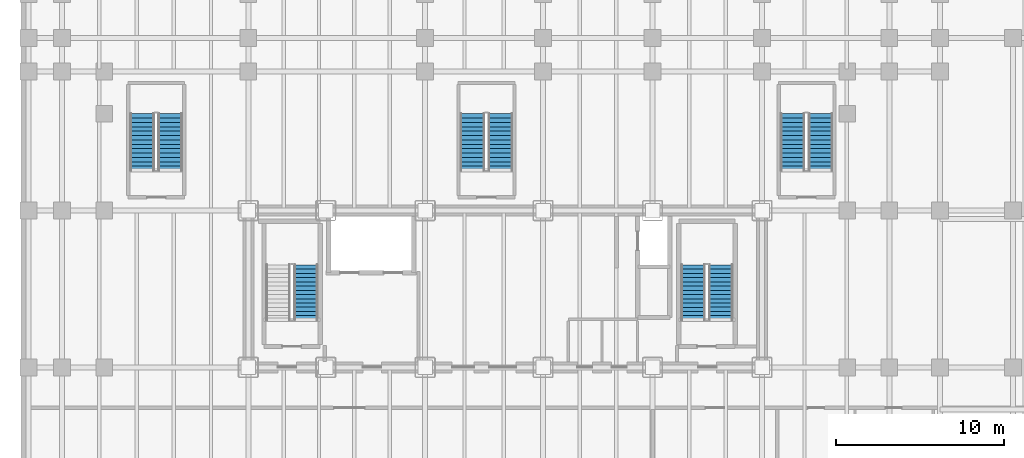
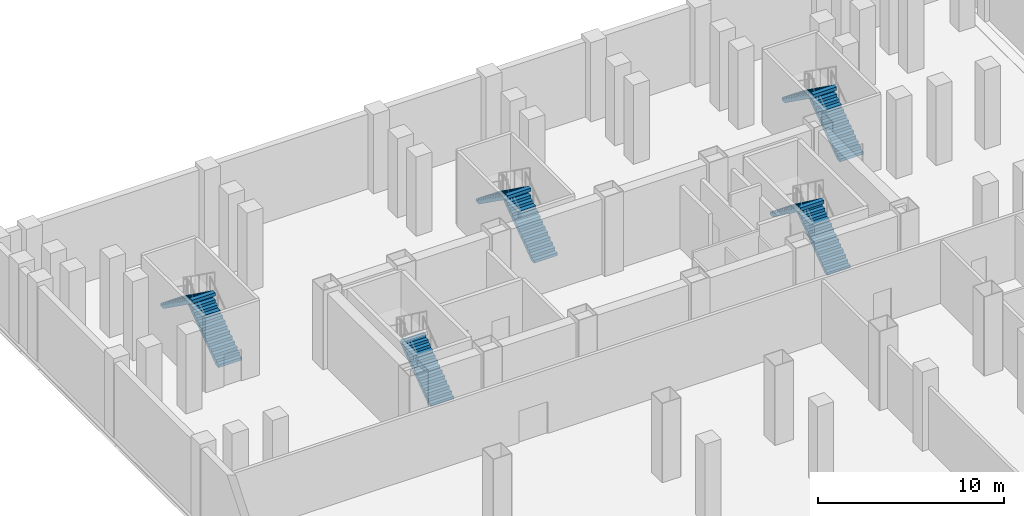
# One storey, part 10 of 15: 9 stair flights, 5 elements without a shape of their own.
"""IFC4 building model written with IfcOpenShell, lengths in metres."""

import ifcopenshell
import ifcopenshell.guid

model = None  # the IFC model being written
_history = None  # IfcOwnerHistory: only IFC2X3 demands one
_inside = {}  # id of a spatial element -> (the spatial element, [elements in it])
_under = {}  # id of a project, library or spatial element -> (it, [spatial elements below it])
_declared = {}  # id of a project -> (the project, [libraries it declares])
_typed = {}  # id of a type object -> (the type object, [elements of that type])
_made_of = {}  # id of a material, layer set ... -> (it, [elements and type objects made of it])


def new_model(schema):
    """Start an empty IFC model of exactly this schema.

    Asked for "IFC4X3", IfcOpenShell would pick the latest addendum, in which some entities
    have other attributes; the version numbers below select the first issue.
    IFC2X3 requires an IfcOwnerHistory on every rooted entity: one is made here for all.
    """
    global model, _history
    if schema == "IFC4X3":
        model = ifcopenshell.file(schema_version=(4, 3, 0, 0))
    else:
        model = ifcopenshell.file(schema=schema)
    _inside.clear()
    _under.clear()
    _declared.clear()
    _typed.clear()
    _made_of.clear()
    _history = None
    if model.schema == "IFC2X3":
        org = make("IfcOrganization", Name="unknown")
        user = make(
            "IfcPersonAndOrganization",
            ThePerson=make("IfcPerson", FamilyName="unknown"),
            TheOrganization=org,
        )
        app = make(
            "IfcApplication",
            ApplicationDeveloper=org,
            Version="unknown",
            ApplicationFullName="unknown",
            ApplicationIdentifier="unknown",
        )
        _history = make(
            "IfcOwnerHistory",
            OwningUser=user,
            OwningApplication=app,
            ChangeAction="ADDED",
            CreationDate=0,
        )
    return model


def make(cls, **values):
    """One entity of the class cls with the attributes given. An attribute that is None is left unset."""
    return model.create_entity(
        cls, **{name: value for name, value in values.items() if value is not None}
    )


def rooted(cls, **values):
    """An entity with a GlobalId (a new one), such as an element, a storey or a relation."""
    return make(cls, GlobalId=ifcopenshell.guid.new(), OwnerHistory=_history, **values)


def si_unit(unit_type, name, prefix=None):
    """IfcSIUnit, for example si_unit("LENGTHUNIT", "METRE", prefix="MILLI")."""
    return make("IfcSIUnit", UnitType=unit_type, Prefix=prefix, Name=name)


def assignment(units):
    """IfcUnitAssignment: the units of a project."""
    return None if units is None else make("IfcUnitAssignment", Units=units)


def point(xyz):
    """IfcCartesianPoint."""
    return None if xyz is None else make("IfcCartesianPoint", Coordinates=xyz)


def direction(xyz):
    """IfcDirection."""
    return None if xyz is None else make("IfcDirection", DirectionRatios=xyz)


def frame(location, z_axis=None, x_axis=None):
    """IfcAxis2Placement3D, a coordinate frame: its origin and axes. An axis left out is left unset."""
    return make(
        "IfcAxis2Placement3D",
        Location=point(location),
        Axis=direction(z_axis),
        RefDirection=direction(x_axis),
    )


def origin():
    """The frame at (0, 0, 0) with its axes left unset."""
    return frame((0.0, 0.0, 0.0))


def place(relative_to, where):
    """IfcLocalPlacement: puts the frame where relative to a parent placement (None: the world)."""
    return make(
        "IfcLocalPlacement", PlacementRelTo=relative_to, RelativePlacement=where
    )


def context(
    kind, dimensions, precision=None, world=None, true_north=None, identifier=None
):
    """IfcGeometricRepresentationContext, for example the 3D "Model" context."""
    return make(
        "IfcGeometricRepresentationContext",
        ContextIdentifier=identifier,
        ContextType=kind,
        CoordinateSpaceDimension=dimensions,
        Precision=precision,
        WorldCoordinateSystem=world,
        TrueNorth=true_north,
    )


def subcontext(parent, identifier, kind, view, scale=None):
    """IfcGeometricRepresentationSubContext, for example "Body" below "Model"."""
    return make(
        "IfcGeometricRepresentationSubContext",
        ContextIdentifier=identifier,
        ContextType=kind,
        ParentContext=parent,
        TargetScale=scale,
        TargetView=view,
    )


def project(units=None, contexts=None):
    """IfcProject with its units and contexts."""
    return rooted(
        "IfcProject",
        Name="project",
        RepresentationContexts=contexts,
        UnitsInContext=assignment(units),
    )


def spatial(cls, under=None, at=None, **own):
    """A site, building, storey or space (cls), placed at a placement, below another one or the project."""
    s = rooted(cls, ObjectPlacement=at, **own)
    if under is not None:
        _under.setdefault(under.id(), (under, []))[1].append(s)
    return s


def polyline(points):
    """IfcPolyline through the points."""
    return make("IfcPolyline", Points=[point(p) for p in points])


def outline(outer, holes=None, kind="AREA"):
    """IfcArbitraryClosedProfileDef: a profile drawn as a closed curve; with holes, ...WithVoids."""
    if holes is None:
        return make("IfcArbitraryClosedProfileDef", ProfileType=kind, OuterCurve=outer)
    return make(
        "IfcArbitraryProfileDefWithVoids",
        ProfileType=kind,
        OuterCurve=outer,
        InnerCurves=holes,
    )


def extrude(swept, where, along, depth):
    """IfcExtrudedAreaSolid: the profile swept, set in the frame where, extruded along a direction by depth."""
    return make(
        "IfcExtrudedAreaSolid",
        SweptArea=swept,
        Position=where,
        ExtrudedDirection=direction(along),
        Depth=depth,
    )


def shape(context_of_items, identifier, shape_type, items):
    """IfcShapeRepresentation: the items that make up one representation, for example the "Body"."""
    return make(
        "IfcShapeRepresentation",
        ContextOfItems=context_of_items,
        RepresentationIdentifier=identifier,
        RepresentationType=shape_type,
        Items=items,
    )


def material(Name=None, Category=None):
    """IfcMaterial."""
    return make("IfcMaterial", Name=Name, Category=Category)


def made_of(thing, what):
    """Note that an element or type object is made of a material, layer set ...; save() writes the relation."""
    if what is not None:
        _made_of.setdefault(what.id(), (what, []))[1].append(thing)
    return thing


def type_object(cls, material=None, **own):
    """A type object (cls), such as IfcWallType, which elements share."""
    return made_of(rooted(cls, **own), material)


def element(
    cls,
    number,
    at=None,
    inside=None,
    cuts=None,
    type_object=None,
    material=None,
    context=None,
    identifier="Body",
    shape_type=None,
    held_by="IfcProductDefinitionShape",
    body=None,
    shapes=None,
    **own,
):
    """One element of the class cls, such as IfcWall. Its Tag is "e" and its number.

    at: its placement. inside: the storey or other place that contains it. cuts: it is an
    opening in that element (IfcRelVoidsElement). A single representation is given by context,
    identifier, shape_type and body (its items); several are given by shapes. held_by: the class
    of the entity that holds the representations. save() writes the other relations.
    """
    e = rooted(cls, Tag="e%d" % number, ObjectPlacement=at, **own)
    if body is not None:
        shapes = [shape(context, identifier, shape_type, body)]
    if shapes is not None:
        e.Representation = make(held_by, Representations=shapes)
    if inside is not None:
        _inside.setdefault(inside.id(), (inside, []))[1].append(e)
    if cuts is not None:
        rooted(
            "IfcRelVoidsElement", RelatingBuildingElement=cuts, RelatedOpeningElement=e
        )
    if type_object is not None:
        _typed.setdefault(type_object.id(), (type_object, []))[1].append(e)
    return made_of(e, material)


def aggregate(whole, parts):
    """IfcRelAggregates: a whole, such as a stair, and the parts it consists of."""
    return rooted("IfcRelAggregates", RelatingObject=whole, RelatedObjects=parts)


def save(model, path):
    """Write the relations noted so far, then the file.

    IfcRelAggregates (storeys below a building ...), IfcRelContainedInSpatialStructure (elements
    in a storey), IfcRelDefinesByType, IfcRelAssociatesMaterial and IfcRelDeclares: one each for
    every whole, place, type object, material and project.
    """
    for whole, parts in _under.values():
        aggregate(whole, parts)
    for where, things in _inside.values():
        rooted(
            "IfcRelContainedInSpatialStructure",
            RelatedElements=things,
            RelatingStructure=where,
        )
    for kind, things in _typed.values():
        rooted("IfcRelDefinesByType", RelatedObjects=things, RelatingType=kind)
    for what, things in _made_of.values():
        rooted("IfcRelAssociatesMaterial", RelatedObjects=things, RelatingMaterial=what)
    for by, libraries in _declared.values():
        rooted("IfcRelDeclares", RelatingContext=by, RelatedDefinitions=libraries)
    model.write(path)


model = new_model("IFC4")

# Units and contexts
model_context = context("Model", 3, precision=1e-05, world=origin(), true_north=direction((0.0, 1.0)))
body_context = subcontext(model_context, "Body", "Model", "MODEL_VIEW")
ifc_project = project(units=[si_unit("LENGTHUNIT", "METRE"), si_unit("AREAUNIT", "SQUARE_METRE"), si_unit("VOLUMEUNIT", "CUBIC_METRE"), si_unit("PLANEANGLEUNIT", "RADIAN"), si_unit("MASSUNIT", "GRAM", prefix="KILO")], contexts=[model_context])

# Site, building, storey
site_placement = place(None, origin())
site = spatial("IfcSite", under=ifc_project, at=site_placement, CompositionType="ELEMENT")
building_placement = place(site_placement, origin())
building = spatial("IfcBuilding", under=site, at=building_placement, Name="Noeulbin Bourse Tower", CompositionType="ELEMENT")
storey_placement = place(building_placement, frame((0.0, 0.0, -10.199951171875)))
storey = spatial("IfcBuildingStorey", under=building, at=storey_placement, Name="B02", CompositionType="ELEMENT", Elevation=-10.199951171875)

# Stair, stair flights
ifc_material = material(Name="Concrete C40/50", Category="concrete")
stair_type_1 = type_object("IfcStairType", Name="STR-AUX-1620", PredefinedType="HALF_TURN_STAIR", material=ifc_material)
stair_1_placement = place(storey_placement, origin())
stair_1 = element("IfcStair", 1, at=stair_1_placement, inside=storey, type_object=stair_type_1, Name="B02 ST-S1", PredefinedType="HALF_TURN_STAIR")
stair_flight_type_1 = type_object("IfcStairFlightType", Name="SFL-AUX-1620", PredefinedType="STRAIGHT", material=ifc_material)
stair_flight_1_placement = place(storey_placement, frame((8.8701171875, 40.679931640625, 0.0), z_axis=(0.0, 0.0, 1.0), x_axis=(0.0, 1.0, 0.0)))
stair_flight_1 = element("IfcStairFlight", 2, at=stair_flight_1_placement, type_object=stair_flight_type_1, Name="ST-S1 flight 1", NumberOfRisers=14, NumberOfTreads=13, PredefinedType="STRAIGHT", RiserHeight=0.185714286, TreadLength=0.26, context=body_context, shape_type="SweptSolid", body=[
    extrude(outline(polyline([(0.0, 0.0), (0.0, 0.185791015625), (0.260009765625, 0.185791015625), (0.260009765625, 0.371337890625), (0.52001953125, 0.371337890625), (0.52001953125, 0.55712890625), (0.780029296875, 0.55712890625), (0.780029296875, 0.742919921875), (1.0400390625, 0.742919921875), (1.0400390625, 0.928466796875), (1.300048828125, 0.928466796875), (1.300048828125, 1.1142578125), (1.56005859375, 1.1142578125), (1.56005859375, 1.300048828125), (1.820068359375, 1.300048828125), (1.820068359375, 1.485595703125), (2.080078125, 1.485595703125), (2.080078125, 1.67138671875), (2.340087890625, 1.67138671875), (2.340087890625, 1.857177734375), (2.60009765625, 1.857177734375), (2.60009765625, 2.04296875), (2.860107421875, 2.04296875), (2.860107421875, 2.228515625), (3.1201171875, 2.228515625), (3.1201171875, 2.414306640625), (3.3798828125, 2.414306640625), (3.3798828125, 2.60009765625), (3.3798828125, 2.193115234375), (0.3095703125, 0.0), (0.0, 0.0)])), frame((0.0, 0.72998046875, 0.0), z_axis=(0.0, -1.0, 0.0), x_axis=(1.0, 0.0, 0.0)), (0.0, 0.0, 1.0), 1.4599609375),
])
stair_flight_2_placement = place(storey_placement, frame((7.2099609375, 44.06005859375, 2.599853515625), z_axis=(0.0, 0.0, 1.0), x_axis=(0.0, -1.0, 0.0)))
stair_flight_2 = element("IfcStairFlight", 3, at=stair_flight_2_placement, type_object=stair_flight_type_1, Name="ST-S1 flight 2", NumberOfRisers=14, NumberOfTreads=13, PredefinedType="STRAIGHT", RiserHeight=0.185714286, TreadLength=0.26, context=body_context, shape_type="SweptSolid", body=[
    extrude(outline(polyline([(0.0, 0.0), (0.0, 0.185791015625), (0.260009765625, 0.185791015625), (0.260009765625, 0.371337890625), (0.52001953125, 0.371337890625), (0.52001953125, 0.55712890625), (0.780029296875, 0.55712890625), (0.780029296875, 0.742919921875), (1.0400390625, 0.742919921875), (1.0400390625, 0.928466796875), (1.300048828125, 0.928466796875), (1.300048828125, 1.1142578125), (1.56005859375, 1.1142578125), (1.56005859375, 1.300048828125), (1.820068359375, 1.300048828125), (1.820068359375, 1.485595703125), (2.080078125, 1.485595703125), (2.080078125, 1.67138671875), (2.340087890625, 1.67138671875), (2.340087890625, 1.857177734375), (2.60009765625, 1.857177734375), (2.60009765625, 2.04296875), (2.860107421875, 2.04296875), (2.860107421875, 2.228515625), (3.1201171875, 2.228515625), (3.1201171875, 2.414306640625), (3.3798828125, 2.414306640625), (3.3798828125, 2.60009765625), (3.3798828125, 2.193115234375), (0.3095703125, 0.0), (0.0, 0.0)])), frame((0.0, 0.72998046875, 0.0), z_axis=(0.0, -1.0, 0.0), x_axis=(1.0, 0.0, 0.0)), (0.0, 0.0, 1.0), 1.4599609375),
])
aggregate(stair_1, [stair_flight_1, stair_flight_2])

stair_2_placement = place(storey_placement, origin())
stair_2 = element("IfcStair", 4, at=stair_2_placement, inside=storey, type_object=stair_type_1, Name="B02 ST-S2", PredefinedType="HALF_TURN_STAIR")
stair_flight_3_placement = place(storey_placement, frame((28.469970703125, 40.679931640625, 0.0), z_axis=(0.0, 0.0, 1.0), x_axis=(0.0, 1.0, 0.0)))
stair_flight_3 = element("IfcStairFlight", 5, at=stair_flight_3_placement, type_object=stair_flight_type_1, Name="ST-S2 flight 1", NumberOfRisers=14, NumberOfTreads=13, PredefinedType="STRAIGHT", RiserHeight=0.185714286, TreadLength=0.26, context=body_context, shape_type="SweptSolid", body=[
    extrude(outline(polyline([(0.0, 0.0), (0.0, 0.185791015625), (0.260009765625, 0.185791015625), (0.260009765625, 0.371337890625), (0.52001953125, 0.371337890625), (0.52001953125, 0.55712890625), (0.780029296875, 0.55712890625), (0.780029296875, 0.742919921875), (1.0400390625, 0.742919921875), (1.0400390625, 0.928466796875), (1.300048828125, 0.928466796875), (1.300048828125, 1.1142578125), (1.56005859375, 1.1142578125), (1.56005859375, 1.300048828125), (1.820068359375, 1.300048828125), (1.820068359375, 1.485595703125), (2.080078125, 1.485595703125), (2.080078125, 1.67138671875), (2.340087890625, 1.67138671875), (2.340087890625, 1.857177734375), (2.60009765625, 1.857177734375), (2.60009765625, 2.04296875), (2.860107421875, 2.04296875), (2.860107421875, 2.228515625), (3.1201171875, 2.228515625), (3.1201171875, 2.414306640625), (3.3798828125, 2.414306640625), (3.3798828125, 2.60009765625), (3.3798828125, 2.193115234375), (0.3095703125, 0.0), (0.0, 0.0)])), frame((0.0, 0.72998046875, 0.0), z_axis=(0.0, -1.0, 0.0), x_axis=(1.0, 0.0, 0.0)), (0.0, 0.0, 1.0), 1.4599609375),
])
stair_flight_4_placement = place(storey_placement, frame((26.81005859375, 44.06005859375, 2.599853515625), z_axis=(0.0, 0.0, 1.0), x_axis=(0.0, -1.0, 0.0)))
stair_flight_4 = element("IfcStairFlight", 6, at=stair_flight_4_placement, type_object=stair_flight_type_1, Name="ST-S2 flight 2", NumberOfRisers=14, NumberOfTreads=13, PredefinedType="STRAIGHT", RiserHeight=0.185714286, TreadLength=0.26, context=body_context, shape_type="SweptSolid", body=[
    extrude(outline(polyline([(0.0, 0.0), (0.0, 0.185791015625), (0.260009765625, 0.185791015625), (0.260009765625, 0.371337890625), (0.52001953125, 0.371337890625), (0.52001953125, 0.55712890625), (0.780029296875, 0.55712890625), (0.780029296875, 0.742919921875), (1.0400390625, 0.742919921875), (1.0400390625, 0.928466796875), (1.300048828125, 0.928466796875), (1.300048828125, 1.1142578125), (1.56005859375, 1.1142578125), (1.56005859375, 1.300048828125), (1.820068359375, 1.300048828125), (1.820068359375, 1.485595703125), (2.080078125, 1.485595703125), (2.080078125, 1.67138671875), (2.340087890625, 1.67138671875), (2.340087890625, 1.857177734375), (2.60009765625, 1.857177734375), (2.60009765625, 2.04296875), (2.860107421875, 2.04296875), (2.860107421875, 2.228515625), (3.1201171875, 2.228515625), (3.1201171875, 2.414306640625), (3.3798828125, 2.414306640625), (3.3798828125, 2.60009765625), (3.3798828125, 2.193115234375), (0.3095703125, 0.0), (0.0, 0.0)])), frame((0.0, 0.72998046875, 0.0), z_axis=(0.0, -1.0, 0.0), x_axis=(1.0, 0.0, 0.0)), (0.0, 0.0, 1.0), 1.4599609375),
])
aggregate(stair_2, [stair_flight_3, stair_flight_4])

stair_3_placement = place(storey_placement, origin())
stair_3 = element("IfcStair", 7, at=stair_3_placement, inside=storey, type_object=stair_type_1, Name="B02 ST-S3", PredefinedType="HALF_TURN_STAIR")
stair_flight_5_placement = place(storey_placement, frame((47.469970703125, 40.679931640625, 0.0), z_axis=(0.0, 0.0, 1.0), x_axis=(0.0, 1.0, 0.0)))
stair_flight_5 = element("IfcStairFlight", 8, at=stair_flight_5_placement, type_object=stair_flight_type_1, Name="ST-S3 flight 1", NumberOfRisers=14, NumberOfTreads=13, PredefinedType="STRAIGHT", RiserHeight=0.185714286, TreadLength=0.26, context=body_context, shape_type="SweptSolid", body=[
    extrude(outline(polyline([(0.0, 0.0), (0.0, 0.185791015625), (0.260009765625, 0.185791015625), (0.260009765625, 0.371337890625), (0.52001953125, 0.371337890625), (0.52001953125, 0.55712890625), (0.780029296875, 0.55712890625), (0.780029296875, 0.742919921875), (1.0400390625, 0.742919921875), (1.0400390625, 0.928466796875), (1.300048828125, 0.928466796875), (1.300048828125, 1.1142578125), (1.56005859375, 1.1142578125), (1.56005859375, 1.300048828125), (1.820068359375, 1.300048828125), (1.820068359375, 1.485595703125), (2.080078125, 1.485595703125), (2.080078125, 1.67138671875), (2.340087890625, 1.67138671875), (2.340087890625, 1.857177734375), (2.60009765625, 1.857177734375), (2.60009765625, 2.04296875), (2.860107421875, 2.04296875), (2.860107421875, 2.228515625), (3.1201171875, 2.228515625), (3.1201171875, 2.414306640625), (3.3798828125, 2.414306640625), (3.3798828125, 2.60009765625), (3.3798828125, 2.193115234375), (0.3095703125, 0.0), (0.0, 0.0)])), frame((0.0, 0.72998046875, 0.0), z_axis=(0.0, -1.0, 0.0), x_axis=(1.0, 0.0, 0.0)), (0.0, 0.0, 1.0), 1.4599609375),
])
stair_flight_6_placement = place(storey_placement, frame((45.81005859375, 44.06005859375, 2.599853515625), z_axis=(0.0, 0.0, 1.0), x_axis=(0.0, -1.0, 0.0)))
stair_flight_6 = element("IfcStairFlight", 9, at=stair_flight_6_placement, type_object=stair_flight_type_1, Name="ST-S3 flight 2", NumberOfRisers=14, NumberOfTreads=13, PredefinedType="STRAIGHT", RiserHeight=0.185714286, TreadLength=0.26, context=body_context, shape_type="SweptSolid", body=[
    extrude(outline(polyline([(0.0, 0.0), (0.0, 0.185791015625), (0.260009765625, 0.185791015625), (0.260009765625, 0.371337890625), (0.52001953125, 0.371337890625), (0.52001953125, 0.55712890625), (0.780029296875, 0.55712890625), (0.780029296875, 0.742919921875), (1.0400390625, 0.742919921875), (1.0400390625, 0.928466796875), (1.300048828125, 0.928466796875), (1.300048828125, 1.1142578125), (1.56005859375, 1.1142578125), (1.56005859375, 1.300048828125), (1.820068359375, 1.300048828125), (1.820068359375, 1.485595703125), (2.080078125, 1.485595703125), (2.080078125, 1.67138671875), (2.340087890625, 1.67138671875), (2.340087890625, 1.857177734375), (2.60009765625, 1.857177734375), (2.60009765625, 2.04296875), (2.860107421875, 2.04296875), (2.860107421875, 2.228515625), (3.1201171875, 2.228515625), (3.1201171875, 2.414306640625), (3.3798828125, 2.414306640625), (3.3798828125, 2.60009765625), (3.3798828125, 2.193115234375), (0.3095703125, 0.0), (0.0, 0.0)])), frame((0.0, 0.72998046875, 0.0), z_axis=(0.0, -1.0, 0.0), x_axis=(1.0, 0.0, 0.0)), (0.0, 0.0, 1.0), 1.4599609375),
])
aggregate(stair_3, [stair_flight_5, stair_flight_6])

# Stair, stair flight
stair_type_2 = type_object("IfcStairType", Name="STR-CORE-1560", PredefinedType="HALF_TURN_STAIR", material=ifc_material)
stair_4_placement = place(storey_placement, origin())
stair_4 = element("IfcStair", 10, at=stair_4_placement, inside=storey, type_object=stair_type_2, Name="B02 ST-1", PredefinedType="HALF_TURN_STAIR")
stair_flight_type_2 = type_object("IfcStairFlightType", Name="SFL-CORE-1560", PredefinedType="STRAIGHT", material=ifc_material)
stair_flight_7_placement = place(storey_placement, frame((16.925048828125, 31.81005859375, 0.0), z_axis=(0.0, 0.0, 1.0), x_axis=(0.0, 1.0, 0.0)))
stair_flight_7 = element("IfcStairFlight", 11, at=stair_flight_7_placement, type_object=stair_flight_type_2, Name="ST-1 flight 1", NumberOfRisers=14, NumberOfTreads=13, PredefinedType="STRAIGHT", RiserHeight=0.185714286, TreadLength=0.252, context=body_context, shape_type="SweptSolid", body=[
    extrude(outline(polyline([(0.0, 0.0), (0.0, 0.185791015625), (0.251953125, 0.185791015625), (0.251953125, 0.371337890625), (0.50390625, 0.371337890625), (0.50390625, 0.55712890625), (0.756103515625, 0.55712890625), (0.756103515625, 0.742919921875), (1.008056640625, 0.742919921875), (1.008056640625, 0.928466796875), (1.260009765625, 0.928466796875), (1.260009765625, 1.1142578125), (1.511962890625, 1.1142578125), (1.511962890625, 1.300048828125), (1.763916015625, 1.300048828125), (1.763916015625, 1.485595703125), (2.01611328125, 1.485595703125), (2.01611328125, 1.67138671875), (2.26806640625, 1.67138671875), (2.26806640625, 1.857177734375), (2.52001953125, 1.857177734375), (2.52001953125, 2.04296875), (2.77197265625, 2.04296875), (2.77197265625, 2.228515625), (3.02392578125, 2.228515625), (3.02392578125, 2.414306640625), (3.27587890625, 2.414306640625), (3.27587890625, 2.60009765625), (3.27587890625, 2.190673828125), (0.30322265625, 0.0), (0.0, 0.0)])), frame((0.0, 0.72509765625, 0.0), z_axis=(0.0, -1.0, 0.0), x_axis=(1.0, 0.0, 0.0)), (0.0, 0.0, 1.0), 1.449951171875),
])
aggregate(stair_4, [stair_flight_7])

# Stair, stair flights
stair_5_placement = place(storey_placement, origin())
stair_5 = element("IfcStair", 12, at=stair_5_placement, inside=storey, type_object=stair_type_2, Name="B02 ST-2", PredefinedType="HALF_TURN_STAIR")
stair_flight_8_placement = place(storey_placement, frame((41.554931640625, 31.81005859375, 0.0), z_axis=(0.0, 0.0, 1.0), x_axis=(0.0, 1.0, 0.0)))
stair_flight_8 = element("IfcStairFlight", 13, at=stair_flight_8_placement, type_object=stair_flight_type_2, Name="ST-2 flight 1", NumberOfRisers=14, NumberOfTreads=13, PredefinedType="STRAIGHT", RiserHeight=0.185714286, TreadLength=0.252, context=body_context, shape_type="SweptSolid", body=[
    extrude(outline(polyline([(0.0, 0.0), (0.0, 0.185791015625), (0.251953125, 0.185791015625), (0.251953125, 0.371337890625), (0.50390625, 0.371337890625), (0.50390625, 0.55712890625), (0.756103515625, 0.55712890625), (0.756103515625, 0.742919921875), (1.008056640625, 0.742919921875), (1.008056640625, 0.928466796875), (1.260009765625, 0.928466796875), (1.260009765625, 1.1142578125), (1.511962890625, 1.1142578125), (1.511962890625, 1.300048828125), (1.763916015625, 1.300048828125), (1.763916015625, 1.485595703125), (2.01611328125, 1.485595703125), (2.01611328125, 1.67138671875), (2.26806640625, 1.67138671875), (2.26806640625, 1.857177734375), (2.52001953125, 1.857177734375), (2.52001953125, 2.04296875), (2.77197265625, 2.04296875), (2.77197265625, 2.228515625), (3.02392578125, 2.228515625), (3.02392578125, 2.414306640625), (3.27587890625, 2.414306640625), (3.27587890625, 2.60009765625), (3.27587890625, 2.190673828125), (0.30322265625, 0.0), (0.0, 0.0)])), frame((0.0, 0.72509765625, 0.0), z_axis=(0.0, -1.0, 0.0), x_axis=(1.0, 0.0, 0.0)), (0.0, 0.0, 1.0), 1.449951171875),
])
stair_flight_9_placement = place(storey_placement, frame((39.905029296875, 35.0859375, 2.599853515625), z_axis=(0.0, 0.0, 1.0), x_axis=(0.0, -1.0, 0.0)))
stair_flight_9 = element("IfcStairFlight", 14, at=stair_flight_9_placement, type_object=stair_flight_type_2, Name="ST-2 flight 2", NumberOfRisers=14, NumberOfTreads=13, PredefinedType="STRAIGHT", RiserHeight=0.185714286, TreadLength=0.252, context=body_context, shape_type="SweptSolid", body=[
    extrude(outline(polyline([(0.0, 0.0), (0.0, 0.185791015625), (0.251953125, 0.185791015625), (0.251953125, 0.371337890625), (0.50390625, 0.371337890625), (0.50390625, 0.55712890625), (0.756103515625, 0.55712890625), (0.756103515625, 0.742919921875), (1.008056640625, 0.742919921875), (1.008056640625, 0.928466796875), (1.260009765625, 0.928466796875), (1.260009765625, 1.1142578125), (1.511962890625, 1.1142578125), (1.511962890625, 1.300048828125), (1.763916015625, 1.300048828125), (1.763916015625, 1.485595703125), (2.01611328125, 1.485595703125), (2.01611328125, 1.67138671875), (2.26806640625, 1.67138671875), (2.26806640625, 1.857177734375), (2.52001953125, 1.857177734375), (2.52001953125, 2.04296875), (2.77197265625, 2.04296875), (2.77197265625, 2.228515625), (3.02392578125, 2.228515625), (3.02392578125, 2.414306640625), (3.27587890625, 2.414306640625), (3.27587890625, 2.60009765625), (3.27587890625, 2.190673828125), (0.30322265625, 0.0), (0.0, 0.0)])), frame((0.0, 0.72509765625, 0.0), z_axis=(0.0, -1.0, 0.0), x_axis=(1.0, 0.0, 0.0)), (0.0, 0.0, 1.0), 1.449951171875),
])
aggregate(stair_5, [stair_flight_8, stair_flight_9])

save(model, "model.ifc")
